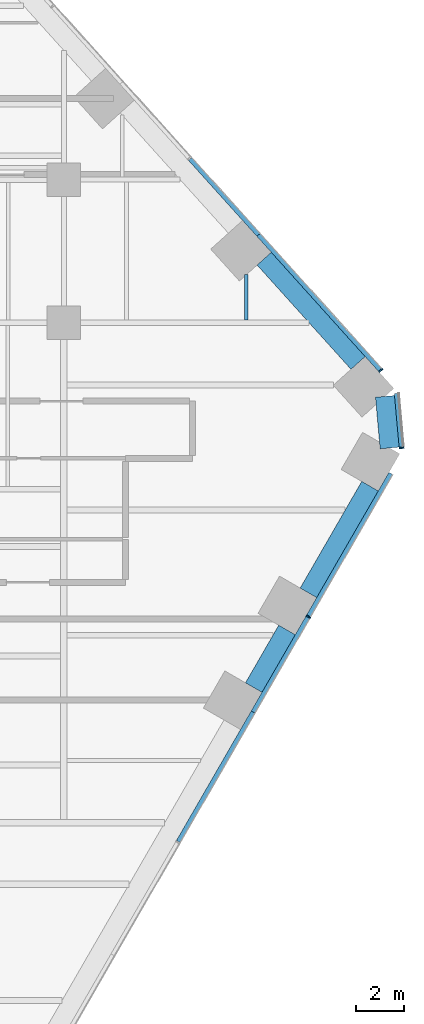
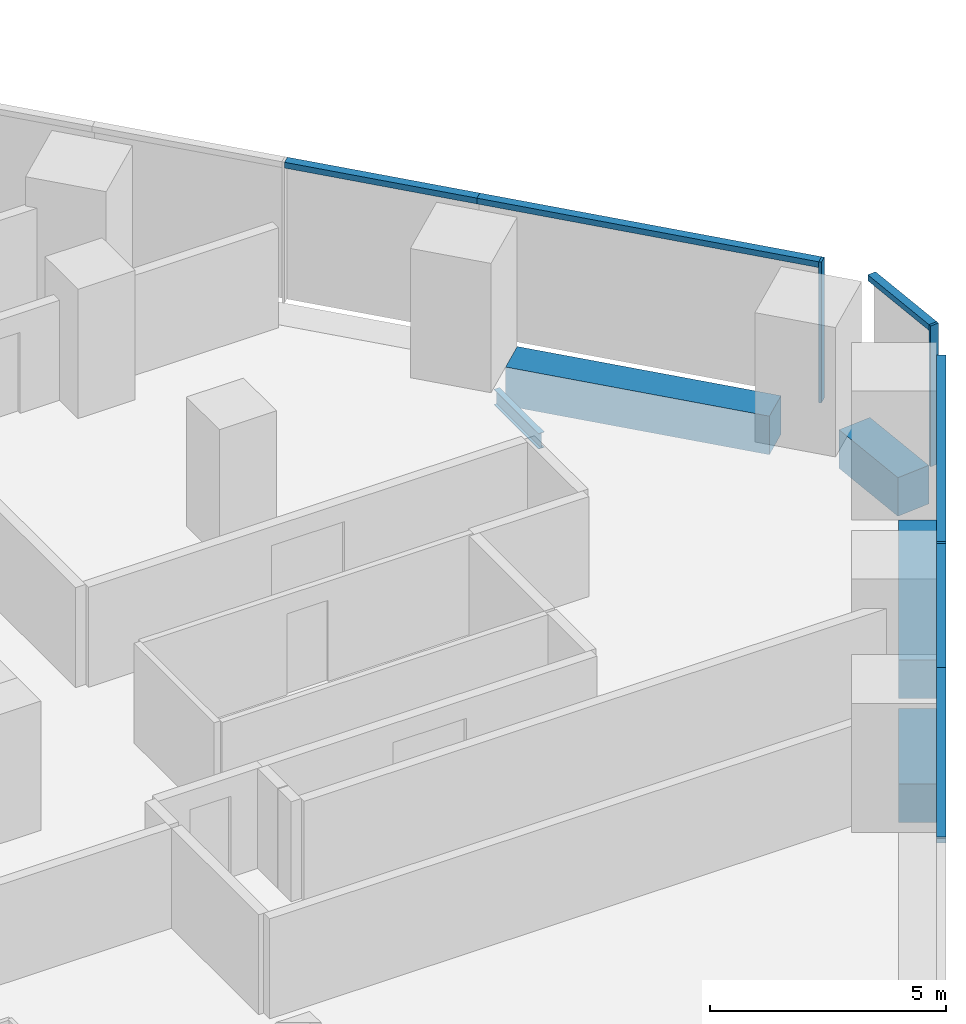
# One storey, part 11 of 20: 9 members, 5 beams, 3 elements without a shape of their own.
"""IFC4 building model written with IfcOpenShell, lengths in metres."""

from ifc_helpers import new_model, si_unit, direction, frame, origin, origin_2d, place, context, subcontext, project, spatial, rectangle, i_section, extrude, material, layer, layer_set, material_profile, profile_set, type_object, element, aggregate, save


model = new_model("IFC4")

# Units and contexts
model_context = context("Model", 3, precision=1e-05, world=origin(), true_north=direction((0.0, 1.0)))
body_context = subcontext(model_context, "Body", "Model", "MODEL_VIEW")
ifc_project = project(units=[si_unit("LENGTHUNIT", "METRE"), si_unit("AREAUNIT", "SQUARE_METRE"), si_unit("VOLUMEUNIT", "CUBIC_METRE"), si_unit("PLANEANGLEUNIT", "RADIAN"), si_unit("MASSUNIT", "GRAM", prefix="KILO")], contexts=[model_context])

# Site, building, storey
site_placement = place(None, origin())
site = spatial("IfcSite", under=ifc_project, at=site_placement, CompositionType="ELEMENT")
building_placement = place(site_placement, origin())
building = spatial("IfcBuilding", under=site, at=building_placement, Name="Isthmus Gate Tower", CompositionType="ELEMENT")
storey_placement = place(building_placement, frame((0.0, 0.0, 72.5)))
storey = spatial("IfcBuildingStorey", under=building, at=storey_placement, Name="L16", CompositionType="ELEMENT", Elevation=72.5)

# Curtain wall, member
ifc_material_1 = material(Name="Aluminium, pale champagne anodised", Category="aluminium")
ifc_layer = layer(ifc_material_1, 0.199951171875)
ifc_layer_set = layer_set([ifc_layer], Name="CW-1 UNITISED CURTAIN WALL 200 DEEP")
curtain_wall_type = type_object("IfcCurtainWallType", Name="CW-1 UNITISED CURTAIN WALL 200 DEEP", PredefinedType="NOTDEFINED", material=ifc_layer_set)
curtain_wall_1_placement = place(storey_placement, origin())
curtain_wall_1 = element("IfcCurtainWall", 1, at=curtain_wall_1_placement, inside=storey, type_object=curtain_wall_type, Name="CW-1 SE L16", PredefinedType="NOTDEFINED")
ifc_material_2 = material(Name="Aluminium, pale champagne anodised", Category="aluminium")
ifc_material_profile_1 = material_profile(ifc_material_2, rectangle(XDim=0.06005859375, YDim=0.199951171875, at=origin_2d()), Name="60x200")
ifc_profile_set_1 = profile_set([ifc_material_profile_1], Name="Aluminium, pale champagne anodised")
member_type_1 = type_object("IfcMemberType", Name="CW-1 MULLION 60 X 200", PredefinedType="MULLION", material=ifc_profile_set_1)
member_1_placement = place(storey_placement, frame((34.267822265625, -4.846435546875, 0.0), z_axis=(0.0, 0.0, 1.0), x_axis=(0.5, 0.866025403784, 0.0)))
member_1 = element("IfcMember", 2, at=member_1_placement, type_object=member_type_1, Name="CW-1 mullion", PredefinedType="MULLION", context=body_context, shape_type="SweptSolid", body=[
    extrude(rectangle(XDim=0.06005859375, YDim=0.199951171875, at=origin_2d()), origin(), (0.0, 0.0, 1.0), 3.64990234375),
])

curtain_wall_2_placement = place(storey_placement, origin())
curtain_wall_2 = element("IfcCurtainWall", 3, at=curtain_wall_2_placement, inside=storey, type_object=curtain_wall_type, Name="CW-1 SE-NE L16", PredefinedType="NOTDEFINED")
member_2_placement = place(storey_placement, frame((38.178955078125, 2.24169921875, 0.0), z_axis=(0.0, 0.0, 1.0), x_axis=(-0.089396669717, 0.995996102123, 0.0)))
member_2 = element("IfcMember", 4, at=member_2_placement, type_object=member_type_1, Name="CW-1 mullion", PredefinedType="MULLION", context=body_context, shape_type="SweptSolid", body=[
    extrude(rectangle(XDim=0.06005859375, YDim=0.199951171875, at=origin_2d()), origin(), (0.0, 0.0, 1.0), 3.64990234375),
])

curtain_wall_3_placement = place(storey_placement, origin())
curtain_wall_3 = element("IfcCurtainWall", 5, at=curtain_wall_3_placement, inside=storey, type_object=curtain_wall_type, Name="CW-1 NE L16", PredefinedType="NOTDEFINED")
member_3_placement = place(storey_placement, frame((37.306640625, 5.494384765625, 0.0), z_axis=(0.0, 0.0, 1.0), x_axis=(-0.669130606359, 0.743144825477, 0.0)))
member_3 = element("IfcMember", 6, at=member_3_placement, type_object=member_type_1, Name="CW-1 mullion", PredefinedType="MULLION", context=body_context, shape_type="SweptSolid", body=[
    extrude(rectangle(XDim=0.06005859375, YDim=0.199951171875, at=origin_2d()), origin(), (0.0, 0.0, 1.0), 3.64990234375),
])

# Member
ifc_material_3 = material(Name="Aluminium, pale champagne anodised", Category="aluminium")
ifc_material_profile_2 = material_profile(ifc_material_3, rectangle(XDim=0.199951171875, YDim=0.14990234375, at=origin_2d()), Name="200x150")
ifc_profile_set_2 = profile_set([ifc_material_profile_2], Name="Aluminium, pale champagne anodised")
member_type_2 = type_object("IfcMemberType", Name="CW-1 TRANSOM 200 X 150", PredefinedType="USERDEFINED", material=ifc_profile_set_2)
member_4_placement = place(storey_placement, frame((28.817138671875, -14.287353515625, 3.574951171875), z_axis=(0.499995104884, 0.866028229963, 0.0), x_axis=(-0.866028229963, 0.499995104884, 0.0)))
member_4 = element("IfcMember", 7, at=member_4_placement, type_object=member_type_2, Name="CW-1 transom", ObjectType="TRANSOM", PredefinedType="USERDEFINED", context=body_context, shape_type="SweptSolid", body=[
    extrude(rectangle(XDim=0.199951171875, YDim=0.14990234375, at=origin_2d()), origin(), (0.0, 0.0, 1.0), 6.2783203125),
])

member_5_placement = place(storey_placement, frame((31.956298828125, -8.85009765625, 3.574951171875), z_axis=(0.499992401796, 0.866029790565, 0.0), x_axis=(-0.866029790565, 0.499992401796, 0.0)))
member_5 = element("IfcMember", 8, at=member_5_placement, type_object=member_type_2, Name="CW-1 transom", ObjectType="TRANSOM", PredefinedType="USERDEFINED", context=body_context, shape_type="SweptSolid", body=[
    extrude(rectangle(XDim=0.199951171875, YDim=0.14990234375, at=origin_2d()), origin(), (0.0, 0.0, 1.0), 4.5927734375),
])

member_6_placement = place(storey_placement, frame((34.28271484375, -4.820556640625, 3.574951171875), z_axis=(0.500003839917, 0.866023186796, 0.0), x_axis=(-0.866023186796, 0.500003839917, 0.0)))
member_6 = element("IfcMember", 9, at=member_6_placement, type_object=member_type_2, Name="CW-1 transom", ObjectType="TRANSOM", PredefinedType="USERDEFINED", context=body_context, shape_type="SweptSolid", body=[
    extrude(rectangle(XDim=0.199951171875, YDim=0.14990234375, at=origin_2d()), origin(), (0.0, 0.0, 1.0), 6.90966796875),
])

aggregate(curtain_wall_1, [member_4, member_5, member_1, member_6])

member_7_placement = place(storey_placement, frame((38.17626953125, 2.271728515625, 3.574951171875), z_axis=(-0.089395362867, 0.995996219419, 0.0), x_axis=(-0.995996219419, -0.089395362867, 0.0)))
member_7 = element("IfcMember", 10, at=member_7_placement, type_object=member_type_2, Name="CW-1 transom", ObjectType="TRANSOM", PredefinedType="USERDEFINED", context=body_context, shape_type="SweptSolid", body=[
    extrude(rectangle(XDim=0.199951171875, YDim=0.14990234375, at=origin_2d()), origin(), (0.0, 0.0, 1.0), 2.258544921875),
])

aggregate(curtain_wall_2, [member_2, member_7])

member_8_placement = place(storey_placement, frame((37.28662109375, 5.5166015625, 3.574951171875), z_axis=(-0.66912913739, 0.74314614814, 0.0), x_axis=(-0.74314614814, -0.66912913739, 0.0)))
member_8 = element("IfcMember", 11, at=member_8_placement, type_object=member_type_2, Name="CW-1 transom", ObjectType="TRANSOM", PredefinedType="USERDEFINED", context=body_context, shape_type="SweptSolid", body=[
    extrude(rectangle(XDim=0.199951171875, YDim=0.14990234375, at=origin_2d()), origin(), (0.0, 0.0, 1.0), 7.62939453125),
])

member_9_placement = place(storey_placement, frame((32.181640625, 11.186279296875, 3.574951171875), z_axis=(-0.669131169216, 0.743144318678, 0.0), x_axis=(-0.743144318678, -0.669131169216, 0.0)))
member_9 = element("IfcMember", 12, at=member_9_placement, type_object=member_type_2, Name="CW-1 transom", ObjectType="TRANSOM", PredefinedType="USERDEFINED", context=body_context, shape_type="SweptSolid", body=[
    extrude(rectangle(XDim=0.199951171875, YDim=0.14990234375, at=origin_2d()), origin(), (0.0, 0.0, 1.0), 4.294677734375),
])

aggregate(curtain_wall_3, [member_3, member_8, member_9])

# Beams
ifc_material_4 = material(Name="Concrete f'c 70 MPa", Category="concrete")
ifc_material_profile_3 = material_profile(ifc_material_4, rectangle(XDim=0.800048828125, YDim=1.0, at=origin_2d()), Name="RC 800X1000")
ifc_profile_set_3 = profile_set([ifc_material_profile_3], Name="Concrete f'c 70 MPa")
beam_type_1 = type_object("IfcBeamType", Name="RC SPANDREL 800 X 1000", PredefinedType="SPANDREL", material=ifc_profile_set_3)
beam_1_placement = place(storey_placement, frame((32.412353515625, 10.182861328125, -0.5), z_axis=(0.669138782017, -0.743137464001, 0.0), x_axis=(0.743137464001, 0.669138782017, 0.0)))
element("IfcBeam", 13, at=beam_1_placement, inside=storey, type_object=beam_type_1, Name="str-spandrel-L16-04", PredefinedType="SPANDREL", context=body_context, shape_type="SweptSolid", body=[
    extrude(rectangle(XDim=0.800048828125, YDim=1.0, at=origin_2d()), origin(), (0.0, 0.0, 1.0), 5.88916015625),
])
beam_2_placement = place(storey_placement, frame((37.483154296875, 4.40185546875, -0.5), z_axis=(0.089421511639, -0.995993872098, 0.0), x_axis=(0.995993872098, 0.089421511639, 0.0)))
element("IfcBeam", 14, at=beam_2_placement, inside=storey, type_object=beam_type_1, Name="str-spandrel-L16-05", PredefinedType="SPANDREL", context=body_context, shape_type="SweptSolid", body=[
    extrude(rectangle(XDim=0.800048828125, YDim=1.0, at=origin_2d()), origin(), (0.0, 0.0, 1.0), 2.17333984375),
])
beam_3_placement = place(storey_placement, frame((36.8544921875, 0.6337890625, -0.5), z_axis=(-0.50000453793, -0.866022783793, 0.0), x_axis=(0.866022783793, -0.50000453793, 0.0)))
element("IfcBeam", 15, at=beam_3_placement, inside=storey, type_object=beam_type_1, Name="str-spandrel-L16-06", PredefinedType="SPANDREL", context=body_context, shape_type="SweptSolid", body=[
    extrude(rectangle(XDim=0.800048828125, YDim=1.0, at=origin_2d()), origin(), (0.0, 0.0, 1.0), 5.16943359375),
])
beam_4_placement = place(storey_placement, frame((33.369873046875, -5.40185546875, -0.5), z_axis=(-0.500012514453, -0.866018178441, 0.0), x_axis=(0.866018178441, -0.500012514453, 0.0)))
element("IfcBeam", 16, at=beam_4_placement, inside=storey, type_object=beam_type_1, Name="str-spandrel-L16-07", PredefinedType="SPANDREL", context=body_context, shape_type="SweptSolid", body=[
    extrude(rectangle(XDim=0.800048828125, YDim=1.0, at=origin_2d()), origin(), (0.0, 0.0, 1.0), 2.79296875),
])
ifc_material_5 = material(Name="Structural steel ASTM A992 Gr 50", Category="steel")
ifc_material_profile_4 = material_profile(ifc_material_5, i_section(OverallWidth=0.1396484375, OverallDepth=0.4033203125, WebThickness=0.00634765625, FlangeThickness=0.010986328125, at=origin_2d()), Name="W16X31")
ifc_profile_set_4 = profile_set([ifc_material_profile_4], Name="Structural steel ASTM A992 Gr 50")
beam_type_2 = type_object("IfcBeamType", Name="STEEL FLOOR BEAM W16X31", PredefinedType="JOIST", material=ifc_profile_set_4)
beam_5_placement = place(storey_placement, frame((31.666259765625, 7.6142578125, -0.3515625), z_axis=(0.0, 1.0, 0.0), x_axis=(-1.0, 0.0, 0.0)))
element("IfcBeam", 17, at=beam_5_placement, inside=storey, type_object=beam_type_2, Name="str-beam-L16-33-01", PredefinedType="JOIST", context=body_context, shape_type="SweptSolid", body=[
    extrude(i_section(OverallWidth=0.1396484375, OverallDepth=0.4033203125, WebThickness=0.00634765625, FlangeThickness=0.010986328125, at=origin_2d()), origin(), (0.0, 0.0, 1.0), 1.89697265625),
])

save(model, "model.ifc")
